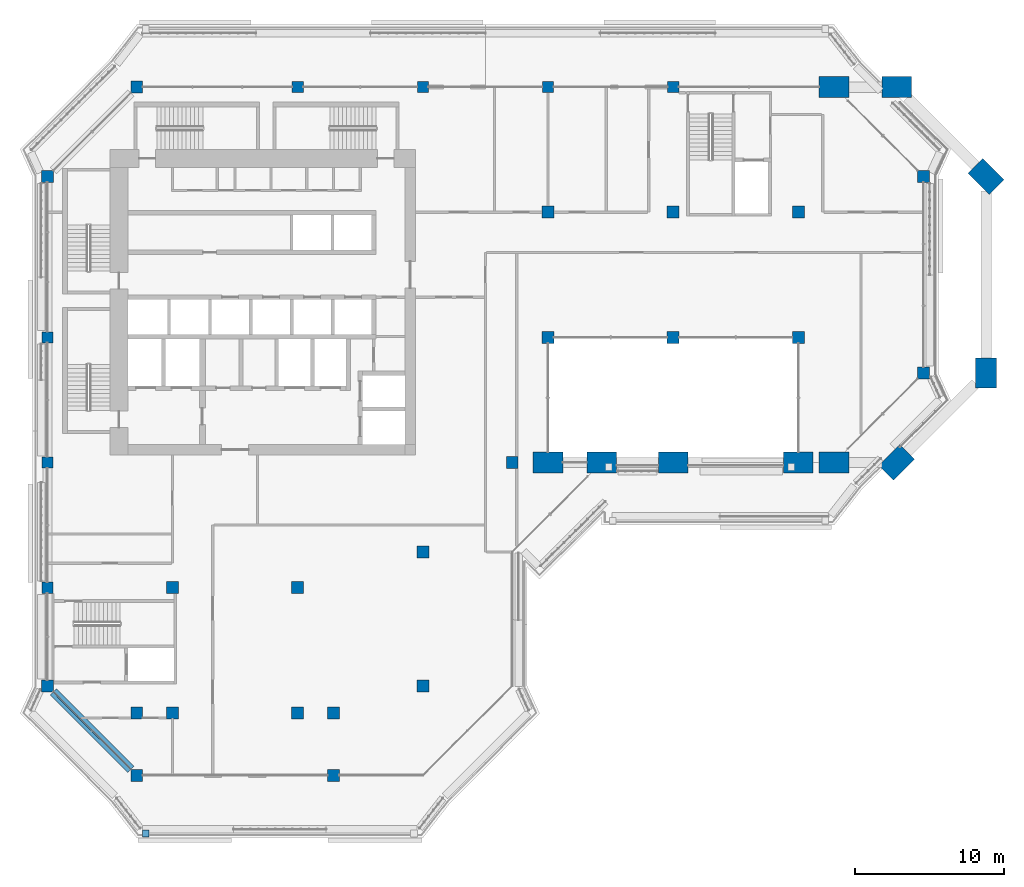
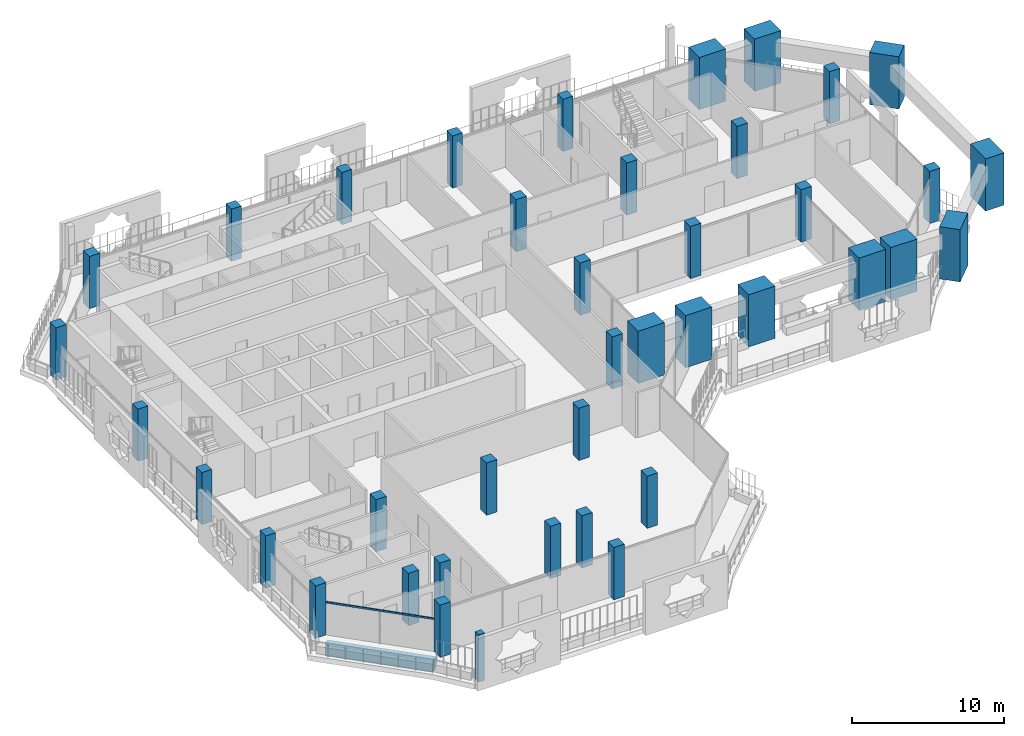
# One storey, part 1 of 23: 39 columns, 2 members, 1 beam, 2 elements without a shape of their own.
"""IFC4 building model written with IfcOpenShell, lengths in metres."""

from ifc_helpers import new_model, si_unit, direction, frame, origin, origin_2d, place, context, subcontext, project, spatial, rectangle, extrude, material, layer, layer_set, material_profile, profile_set, type_object, element, aggregate, save


model = new_model("IFC4")

# Units and contexts
model_context = context("Model", 3, precision=1e-05, world=origin(), true_north=direction((0.0, 1.0)))
body_context = subcontext(model_context, "Body", "Model", "MODEL_VIEW")
ifc_project = project(units=[si_unit("LENGTHUNIT", "METRE"), si_unit("AREAUNIT", "SQUARE_METRE"), si_unit("VOLUMEUNIT", "CUBIC_METRE"), si_unit("PLANEANGLEUNIT", "RADIAN"), si_unit("MASSUNIT", "GRAM", prefix="KILO")], contexts=[model_context])

# Site, building, storey
site_placement = place(None, origin())
site = spatial("IfcSite", under=ifc_project, at=site_placement, CompositionType="ELEMENT")
building_placement = place(site_placement, origin())
building = spatial("IfcBuilding", under=site, at=building_placement, Name="Kawkab Arch Medical Tower", CompositionType="ELEMENT")
storey_placement = place(building_placement, frame((0.0, 0.0, 281.800048828125)))
storey = spatial("IfcBuildingStorey", under=building, at=storey_placement, Name="L65", CompositionType="ELEMENT", Elevation=281.800048828125)

# Columns
ifc_material_1 = material(Name="Concrete C40/50", Category="concrete")
ifc_material_profile_1 = material_profile(ifc_material_1, rectangle(XDim=2.0, YDim=1.39990234375, at=origin_2d()), Name="RC 2000x1400")
ifc_profile_set_1 = profile_set([ifc_material_profile_1], Name="Concrete C40/50")
column_type_1 = type_object("IfcColumnType", Name="RC 2000x1400 column C40/50", PredefinedType="COLUMN", material=ifc_profile_set_1)
for number, where, z_axis, x_axis, name in (
    (1, (52.800048828125, 0.0, 0.0), (0.0, 0.0, 1.0), (1.0, 0.0, 0.0), "Column RC 2000x1400"),
    (2, (42.0, -25.199951171875, 0.0), (0.0, 0.0, 1.0), (-1.0, 0.0, 0.0), "Column RC 2000x1400"),
    (3, (52.800048828125, -25.199951171875, 0.0), (0.0, 0.0, 1.0), (-1.0, 0.0, 0.0), "Column RC 2000x1400"),
    (4, (50.39990234375, -25.199951171875, 0.0), (0.0, 0.0, 1.0), (-1.0, 0.0, 0.0), "Column RC 2000x1400"),
    (5, (37.199951171875, -25.199951171875, 0.0), (0.0, 0.0, 1.0), (-1.0, 0.0, 0.0), "Column RC 2000x1400"),
    (6, (33.60009765625, -25.199951171875, 0.0), (0.0, 0.0, 1.0), (-1.0, 0.0, 0.0), "Column RC 2000x1400"),
    (7, (57.0, 0.0, 0.0), (0.0, 0.0, 1.0), (1.0, 0.0, 0.0), "Column RC 2000x1400"),
    (8, (63.0, -6.0, 0.0), (0.0, 0.0, 1.0), (0.707106781187, -0.707106781187, 0.0), "Column RC 2000x1400"),
    (9, (63.0, -19.199951171875, 0.0), (0.0, 0.0, 1.0), (0.0, -1.0, 0.0), "Column RC 2000x1400"),
    (10, (57.0, -25.199951171875, 0.0), (0.0, 0.0, 1.0), (-0.707106781187, -0.707106781187, 0.0), "Column RC 2000x1400"),
):
    element("IfcColumn", number, at=place(storey_placement, frame(where, z_axis=z_axis, x_axis=x_axis)), inside=storey, type_object=column_type_1, Name=name, PredefinedType="COLUMN", context=body_context, shape_type="SweptSolid", body=[
        extrude(rectangle(XDim=2.0, YDim=1.39990234375, at=origin_2d()), origin(), (0.0, 0.0, 1.0), 4.199951171875),
    ])
ifc_material_2 = material(Name="Concrete C40/50", Category="concrete")
ifc_material_profile_2 = material_profile(ifc_material_2, rectangle(XDim=0.75, YDim=0.75, at=origin_2d()), Name="RC 750x750")
ifc_profile_set_2 = profile_set([ifc_material_profile_2], Name="Concrete C40/50")
column_type_2 = type_object("IfcColumnType", Name="RC 750x750 column C40/50", PredefinedType="COLUMN", material=ifc_profile_set_2)
for number, where, z_axis, x_axis, name in (
    (11, (16.800048828125, 0.0, 0.0), (0.0, 0.0, 1.0), (1.0, 0.0, 0.0), "Column RC 750x750"),
    (12, (25.199951171875, 0.0, 0.0), (0.0, 0.0, 1.0), (1.0, 0.0, 0.0), "Column RC 750x750"),
    (13, (33.60009765625, 0.0, 0.0), (0.0, 0.0, 1.0), (1.0, 0.0, 0.0), "Column RC 750x750"),
    (14, (42.0, 0.0, 0.0), (0.0, 0.0, 1.0), (1.0, 0.0, 0.0), "Column RC 750x750"),
    (15, (0.0, -16.800048828125, 0.0), (0.0, 0.0, 1.0), (1.0, 0.0, 0.0), "Column RC 750x750"),
    (16, (0.0, -25.199951171875, 0.0), (0.0, 0.0, 1.0), (1.0, 0.0, 0.0), "Column RC 750x750"),
    (17, (0.0, -33.60009765625, 0.0), (0.0, 0.0, 1.0), (1.0, 0.0, 0.0), "Column RC 750x750"),
):
    element("IfcColumn", number, at=place(storey_placement, frame(where, z_axis=z_axis, x_axis=x_axis)), inside=storey, type_object=column_type_2, Name=name, PredefinedType="COLUMN", context=body_context, shape_type="SweptSolid", body=[
        extrude(rectangle(XDim=0.75, YDim=0.75, at=origin_2d()), origin(), (0.0, 0.0, 1.0), 4.199951171875),
    ])
ifc_material_3 = material(Name="Concrete C40/50", Category="concrete")
ifc_material_profile_3 = material_profile(ifc_material_3, rectangle(XDim=0.800048828125, YDim=0.800048828125, at=origin_2d()), Name="RC 800x800")
ifc_profile_set_3 = profile_set([ifc_material_profile_3], Name="Concrete C40/50")
column_type_3 = type_object("IfcColumnType", Name="RC 800x800 column C40/50", PredefinedType="COLUMN", material=ifc_profile_set_3)
for number, where, z_axis, x_axis, name in (
    (18, (6.0, 0.0, 0.0), (0.0, 0.0, 1.0), (1.0, 0.0, 0.0), "Column RC 800x800"),
    (19, (0.0, -6.0, 0.0), (0.0, 0.0, 1.0), (1.0, 0.0, 0.0), "Column RC 800x800"),
    (20, (58.800048828125, -6.0, 0.0), (0.0, 0.0, 1.0), (1.0, 0.0, 0.0), "Column RC 800x800"),
    (21, (33.60009765625, -8.39990234375, 0.0), (0.0, 0.0, 1.0), (1.0, 0.0, 0.0), "Column RC 800x800"),
    (22, (42.0, -8.39990234375, 0.0), (0.0, 0.0, 1.0), (1.0, 0.0, 0.0), "Column RC 800x800"),
    (23, (50.39990234375, -8.39990234375, 0.0), (0.0, 0.0, 1.0), (1.0, 0.0, 0.0), "Column RC 800x800"),
    (24, (33.60009765625, -16.800048828125, 0.0), (0.0, 0.0, 1.0), (1.0, 0.0, 0.0), "Column RC 800x800"),
    (25, (42.0, -16.800048828125, 0.0), (0.0, 0.0, 1.0), (1.0, 0.0, 0.0), "Column RC 800x800"),
    (26, (50.39990234375, -16.800048828125, 0.0), (0.0, 0.0, 1.0), (1.0, 0.0, 0.0), "Column RC 800x800"),
    (27, (58.800048828125, -19.199951171875, 0.0), (0.0, 0.0, 1.0), (1.0, 0.0, 0.0), "Column RC 800x800"),
    (28, (31.199951171875, -25.199951171875, 0.0), (0.0, 0.0, 1.0), (1.0, 0.0, 0.0), "Column RC 800x800"),
    (29, (25.199951171875, -31.199951171875, 0.0), (0.0, 0.0, 1.0), (1.0, 0.0, 0.0), "Column RC 800x800"),
    (30, (8.39990234375, -33.60009765625, 0.0), (0.0, 0.0, 1.0), (1.0, 0.0, 0.0), "Column RC 800x800"),
    (31, (16.800048828125, -33.60009765625, 0.0), (0.0, 0.0, 1.0), (1.0, 0.0, 0.0), "Column RC 800x800"),
    (32, (0.0, -40.199951171875, 0.0), (0.0, 0.0, 1.0), (1.0, 0.0, 0.0), "Column RC 800x800"),
    (33, (25.199951171875, -40.199951171875, 0.0), (0.0, 0.0, 1.0), (1.0, 0.0, 0.0), "Column RC 800x800"),
    (34, (6.0, -42.0, 0.0), (0.0, 0.0, 1.0), (1.0, 0.0, 0.0), "Column RC 800x800"),
    (35, (8.39990234375, -42.0, 0.0), (0.0, 0.0, 1.0), (1.0, 0.0, 0.0), "Column RC 800x800"),
    (36, (16.800048828125, -42.0, 0.0), (0.0, 0.0, 1.0), (1.0, 0.0, 0.0), "Column RC 800x800"),
    (37, (19.199951171875, -42.0, 0.0), (0.0, 0.0, 1.0), (1.0, 0.0, 0.0), "Column RC 800x800"),
    (38, (6.0, -46.199951171875, 0.0), (0.0, 0.0, 1.0), (1.0, 0.0, 0.0), "Column RC 800x800"),
    (39, (19.199951171875, -46.199951171875, 0.0), (0.0, 0.0, 1.0), (1.0, 0.0, 0.0), "Column RC 800x800"),
):
    element("IfcColumn", number, at=place(storey_placement, frame(where, z_axis=z_axis, x_axis=x_axis)), inside=storey, type_object=column_type_3, Name=name, PredefinedType="COLUMN", context=body_context, shape_type="SweptSolid", body=[
        extrude(rectangle(XDim=0.800048828125, YDim=0.800048828125, at=origin_2d()), origin(), (0.0, 0.0, 1.0), 4.199951171875),
    ])

# Curtain wall, member
ifc_material_4 = material(Name="Bronze anodised aluminium curtain wall frame", Category="aluminium")
ifc_layer_1 = layer(ifc_material_4, 0.159912109375)
ifc_layer_set_1 = layer_set([ifc_layer_1], Name="Bronze anodised aluminium curtain wall frame")
curtain_wall_type_1 = type_object("IfcCurtainWallType", Name="CW2 chamfer curtain wall", PredefinedType="NOTDEFINED", material=ifc_layer_set_1)
placement = place(storey_placement, origin())
curtain_wall_1 = element("IfcCurtainWall", 40, at=placement, inside=storey, type_object=curtain_wall_type_1, Name="CW2 Chamfer curtain wall R13", PredefinedType="NOTDEFINED")
ifc_material_5 = material(Name="Bronze anodised aluminium curtain wall frame", Category="aluminium")
ifc_material_profile_4 = material_profile(ifc_material_5, rectangle(XDim=0.06005859375, YDim=0.139892578125, at=origin_2d()), Name="AL 60x140")
ifc_profile_set_4 = profile_set([ifc_material_profile_4], Name="Bronze anodised aluminium curtain wall frame")
member_type_1 = type_object("IfcMemberType", Name="CW2 transom 140 x 60", PredefinedType="USERDEFINED", material=ifc_profile_set_4)
member_1_placement = place(storey_placement, frame((0.39990234375, -40.60009765625, 2.6298828125), z_axis=(0.707123380132, -0.707090181851, 0.0), x_axis=(0.707090181851, 0.707123380132, 0.0)))
member_1 = element("IfcMember", 41, at=member_1_placement, type_object=member_type_1, Name="CW2 transom 1", ObjectType="TRANSOM", PredefinedType="USERDEFINED", context=body_context, shape_type="SweptSolid", body=[
    extrude(rectangle(XDim=0.06005859375, YDim=0.139892578125, at=origin_2d()), origin(), (0.0, 0.0, 1.0), 7.35400390625),
])
aggregate(curtain_wall_1, [member_1])

ifc_material_6 = material(Name="Bronze anodised aluminium climber frame, planted", Category="aluminium")
ifc_layer_2 = layer(ifc_material_6, 0.449951171875)
ifc_layer_set_2 = layer_set([ifc_layer_2], Name="Bronze anodised aluminium climber frame, planted")
curtain_wall_type_2 = type_object("IfcCurtainWallType", Name="Planted climber frame", PredefinedType="NOTDEFINED", material=ifc_layer_set_2)
curtain_wall_2 = element("IfcCurtainWall", 42, at=placement, inside=storey, type_object=curtain_wall_type_2, Name="Planted climber frame L65", PredefinedType="NOTDEFINED")
ifc_material_7 = material(Name="Bronze anodised aluminium climber frame, planted", Category="aluminium")
ifc_material_profile_5 = material_profile(ifc_material_7, rectangle(XDim=0.449951171875, YDim=0.449951171875, at=origin_2d()), Name="Post 450x450")
ifc_profile_set_5 = profile_set([ifc_material_profile_5], Name="Bronze anodised aluminium climber frame, planted")
member_type_2 = type_object("IfcMemberType", Name="Planted climber post 450 x 450", PredefinedType="MULLION", material=ifc_profile_set_5)
member_2_placement = place(storey_placement, frame((6.596923828125, -50.10009765625, 0.0), z_axis=(0.0, 0.0, 1.0), x_axis=(1.0, 0.0, 0.0)))
member_2 = element("IfcMember", 43, at=member_2_placement, type_object=member_type_2, Name="Planted climber post L65.LOG-01-02.6", PredefinedType="MULLION", context=body_context, shape_type="SweptSolid", body=[
    extrude(rectangle(XDim=0.449951171875, YDim=0.449951171875, at=origin_2d()), origin(), (0.0, 0.0, 1.0), 3.800048828125),
])
aggregate(curtain_wall_2, [member_2])

# Beam
ifc_material_8 = material(Name="Concrete C40/50", Category="concrete")
ifc_material_profile_6 = material_profile(ifc_material_8, rectangle(XDim=0.60009765625, YDim=0.89990234375, at=origin_2d()), Name="RC 600x900")
ifc_profile_set_6 = profile_set([ifc_material_profile_6], Name="Concrete C40/50")
beam_type = type_object("IfcBeamType", Name="RC 600x900 beam C40/50", PredefinedType="BEAM", material=ifc_profile_set_6)
beam_placement = place(storey_placement, frame((5.60009765625, -45.800048828125, -1.050048828125), z_axis=(-0.707123380132, 0.707090181851, 0.0), x_axis=(-0.707090181851, -0.707123380132, 0.0)))
element("IfcBeam", 44, at=beam_placement, inside=storey, type_object=beam_type, Name="Overhang edge beam L65-02", PredefinedType="BEAM", context=body_context, shape_type="SweptSolid", body=[
    extrude(rectangle(XDim=0.60009765625, YDim=0.89990234375, at=origin_2d()), origin(), (0.0, 0.0, 1.0), 7.35400390625),
])

save(model, "model.ifc")
